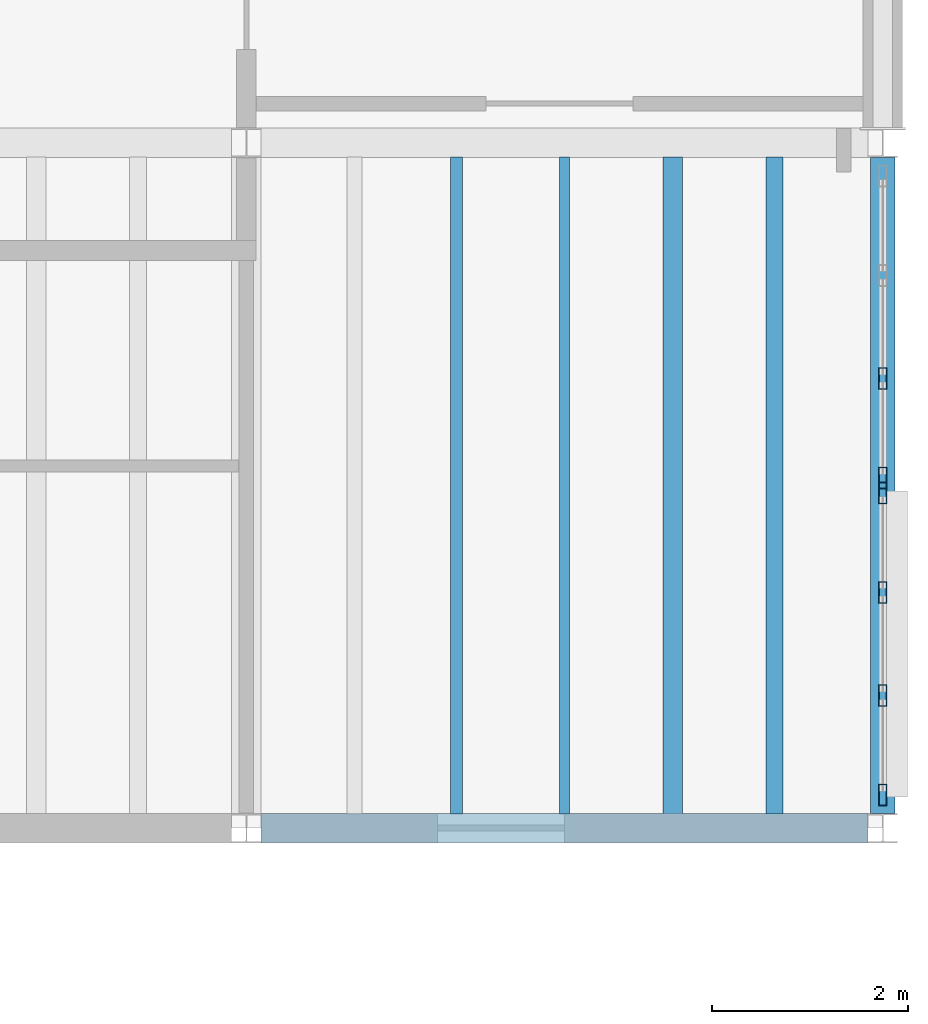
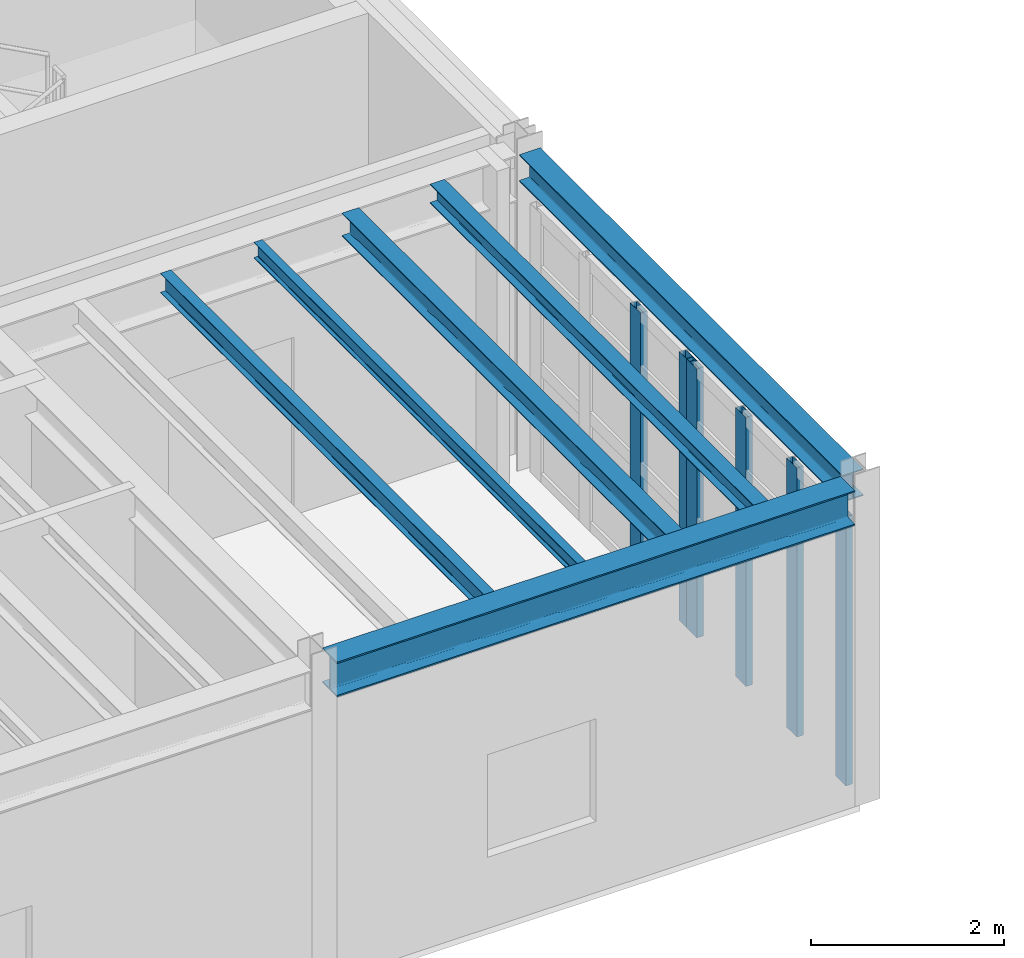
# One storey, part 3 of 11: 6 beams, 6 members, 2 elements without a shape of their own.
"""IFC4 building model written with IfcOpenShell, lengths in metres."""

from ifc_helpers import new_model, si_unit, direction, frame, origin, origin_2d, place, context, subcontext, project, spatial, hollow_rectangle, i_section, extrude, material, material_profile, profile_set, type_object, element, aggregate, save


model = new_model("IFC4")

# Units and contexts
model_context = context("Model", 3, precision=1e-05, world=origin(), true_north=direction((0.0, 1.0)))
body_context = subcontext(model_context, "Body", "Model", "MODEL_VIEW")
ifc_project = project(units=[si_unit("LENGTHUNIT", "METRE"), si_unit("AREAUNIT", "SQUARE_METRE"), si_unit("VOLUMEUNIT", "CUBIC_METRE"), si_unit("PLANEANGLEUNIT", "RADIAN"), si_unit("MASSUNIT", "GRAM", prefix="KILO"), si_unit("THERMODYNAMICTEMPERATUREUNIT", "KELVIN"), si_unit("POWERUNIT", "WATT")], contexts=[model_context])

# Site, building, storey
site_placement = place(None, origin())
site = spatial("IfcSite", under=ifc_project, at=site_placement, CompositionType="ELEMENT")
building_placement = place(site_placement, origin())
building = spatial("IfcBuilding", under=site, at=building_placement, Name="Zhenchuan Central Fire Station", CompositionType="ELEMENT")
storey_placement = place(building_placement, frame((0.0, 0.0, 18.449951171875)))
storey = spatial("IfcBuildingStorey", under=building, at=storey_placement, Name="L05", CompositionType="ELEMENT", Elevation=18.449951171875)

# Beams
ifc_material_1 = material(Name="Steel Q355B", Category="steel")
ifc_material_profile_1 = material_profile(ifc_material_1, i_section(OverallWidth=0.25, OverallDepth=0.340087890625, WebThickness=0.009033203125, FlangeThickness=0.013916015625, FilletRadius=0.01806640625, at=origin_2d()), Name="HM 340x250")
ifc_profile_set_1 = profile_set([ifc_material_profile_1], Name="Steel Q355B")
beam_type_1 = type_object("IfcBeamType", Name="BM-HM340-EXT", PredefinedType="BEAM", material=ifc_profile_set_1)
beam_1_placement = place(storey_placement, frame((161.0, 42.64990234375, 3.830078125), z_axis=(0.0, 1.0, 0.0), x_axis=(-1.0, 0.0, 0.0)))
element("IfcBeam", 1, at=beam_1_placement, inside=storey, type_object=beam_type_1, Name="L06 Girder NS 0504", PredefinedType="BEAM", context=body_context, shape_type="SweptSolid", body=[
    extrude(i_section(OverallWidth=0.25, OverallDepth=0.340087890625, WebThickness=0.009033203125, FlangeThickness=0.013916015625, FilletRadius=0.01806640625, at=origin_2d()), origin(), (0.0, 0.0, 1.0), 6.7001953125),
])
ifc_material_profile_2 = material_profile(ifc_material_1, i_section(OverallWidth=0.300048828125, OverallDepth=0.43994140625, WebThickness=0.010986328125, FlangeThickness=0.01806640625, FilletRadius=0.02197265625, at=origin_2d()), Name="HM 440x300")
ifc_profile_set_2 = profile_set([ifc_material_profile_2], Name="Steel Q355B")
beam_type_2 = type_object("IfcBeamType", Name="BM-HM440-INT", PredefinedType="BEAM", material=ifc_profile_set_2)
beam_2_placement = place(storey_placement, frame((154.64990234375, 42.5, 3.780029296875), z_axis=(1.0, 0.0, 0.0), x_axis=(0.0, 1.0, 0.0)))
element("IfcBeam", 2, at=beam_2_placement, inside=storey, type_object=beam_type_2, Name="L06 Girder EW 0491", PredefinedType="BEAM", context=body_context, shape_type="SweptSolid", body=[
    extrude(i_section(OverallWidth=0.300048828125, OverallDepth=0.43994140625, WebThickness=0.010986328125, FlangeThickness=0.01806640625, FilletRadius=0.02197265625, at=origin_2d()), origin(), (0.0, 0.0, 1.0), 6.2001953125),
])

# Curtain wall, members
ifc_material_2 = material(Name="Anodised aluminium and low-E glazing", Category="aluminium")
curtain_wall_type_1 = type_object("IfcCurtainWallType", Name="CW-MOD-15", PredefinedType="USERDEFINED", material=ifc_material_2)
curtain_wall_1_placement = place(storey_placement, origin())
curtain_wall_1 = element("IfcCurtainWall", 3, at=curtain_wall_1_placement, inside=storey, type_object=curtain_wall_type_1, Name="L05 Unitised Curtain Wall 150", ObjectType="UNITISED GLAZING", PredefinedType="USERDEFINED")
ifc_material_3 = material(Name="Anodised aluminium EN AW-6063", Category="aluminium")
ifc_material_profile_3 = material_profile(ifc_material_3, hollow_rectangle(XDim=0.080078125, YDim=0.219970703125, WallThickness=0.005615234375, at=origin_2d()), Name="ALU-M 220x80")
ifc_profile_set_3 = profile_set([ifc_material_profile_3], Name="Anodised aluminium EN AW-6063")
member_type = type_object("IfcMemberType", Name="CW-MUL200", PredefinedType="MULLION", material=ifc_profile_set_3)
member_1_placement = place(storey_placement, frame((161.0, 42.83740234375, -0.00390625), z_axis=(0.0, 0.0, 1.0), x_axis=(-1.0, 0.0, 0.0)))
member_1 = element("IfcMember", 4, at=member_1_placement, type_object=member_type, Name="CW-15 mullion 1", PredefinedType="MULLION", context=body_context, shape_type="SweptSolid", body=[
    extrude(hollow_rectangle(XDim=0.080078125, YDim=0.219970703125, WallThickness=0.005615234375, at=origin_2d()), origin(), (0.0, 0.0, 1.0), 3.404052734375),
])
member_2_placement = place(storey_placement, frame((161.0, 43.85400390625, -0.00390625), z_axis=(0.0, 0.0, 1.0), x_axis=(-1.0, 0.0, 0.0)))
member_2 = element("IfcMember", 5, at=member_2_placement, type_object=member_type, Name="CW-15 mullion 2", PredefinedType="MULLION", context=body_context, shape_type="SweptSolid", body=[
    extrude(hollow_rectangle(XDim=0.080078125, YDim=0.219970703125, WallThickness=0.005615234375, at=origin_2d()), origin(), (0.0, 0.0, 1.0), 3.404052734375),
])
member_3_placement = place(storey_placement, frame((161.0, 44.907958984375, -0.00390625), z_axis=(0.0, 0.0, 1.0), x_axis=(-1.0, 0.0, 0.0)))
member_3 = element("IfcMember", 6, at=member_3_placement, type_object=member_type, Name="CW-15 mullion 3", PredefinedType="MULLION", context=body_context, shape_type="SweptSolid", body=[
    extrude(hollow_rectangle(XDim=0.080078125, YDim=0.219970703125, WallThickness=0.005615234375, at=origin_2d()), origin(), (0.0, 0.0, 1.0), 3.404052734375),
])
member_4_placement = place(storey_placement, frame((161.0, 45.924560546875, -0.00390625), z_axis=(0.0, 0.0, 1.0), x_axis=(-1.0, 0.0, 0.0)))
member_4 = element("IfcMember", 7, at=member_4_placement, type_object=member_type, Name="CW-15 mullion 4", PredefinedType="MULLION", context=body_context, shape_type="SweptSolid", body=[
    extrude(hollow_rectangle(XDim=0.080078125, YDim=0.219970703125, WallThickness=0.005615234375, at=origin_2d()), origin(), (0.0, 0.0, 1.0), 3.404052734375),
])
aggregate(curtain_wall_1, [member_1, member_2, member_3, member_4])

curtain_wall_type_2 = type_object("IfcCurtainWallType", Name="CW-MOD-16", PredefinedType="USERDEFINED", material=ifc_material_2)
curtain_wall_2_placement = place(storey_placement, origin())
curtain_wall_2 = element("IfcCurtainWall", 8, at=curtain_wall_2_placement, inside=storey, type_object=curtain_wall_type_2, Name="L05 Unitised Curtain Wall 151", ObjectType="UNITISED GLAZING", PredefinedType="USERDEFINED")
member_5_placement = place(storey_placement, frame((161.0, 46.075439453125, -0.00390625), z_axis=(0.0, 0.0, 1.0), x_axis=(-1.0, 0.0, 0.0)))
member_5 = element("IfcMember", 9, at=member_5_placement, type_object=member_type, Name="CW-16 mullion 1", PredefinedType="MULLION", context=body_context, shape_type="SweptSolid", body=[
    extrude(hollow_rectangle(XDim=0.080078125, YDim=0.219970703125, WallThickness=0.005615234375, at=origin_2d()), origin(), (0.0, 0.0, 1.0), 3.404052734375),
])
member_6_placement = place(storey_placement, frame((161.0, 47.092041015625, -0.00390625), z_axis=(0.0, 0.0, 1.0), x_axis=(-1.0, 0.0, 0.0)))
member_6 = element("IfcMember", 10, at=member_6_placement, type_object=member_type, Name="CW-16 mullion 2", PredefinedType="MULLION", context=body_context, shape_type="SweptSolid", body=[
    extrude(hollow_rectangle(XDim=0.080078125, YDim=0.219970703125, WallThickness=0.005615234375, at=origin_2d()), origin(), (0.0, 0.0, 1.0), 3.404052734375),
])
aggregate(curtain_wall_2, [member_5, member_6])

# Beams
ifc_material_profile_4 = material_profile(ifc_material_1, i_section(OverallWidth=0.175048828125, OverallDepth=0.243896484375, WebThickness=0.007080078125, FlangeThickness=0.010986328125, FilletRadius=0.012939453125, at=origin_2d()), Name="HM 244x175")
ifc_profile_set_4 = profile_set([ifc_material_profile_4], Name="Steel Q355B")
beam_type_3 = type_object("IfcBeamType", Name="JS-HM244", PredefinedType="JOIST", material=ifc_profile_set_4)
beam_3_placement = place(storey_placement, frame((159.89501953125, 42.64697265625, 3.8779296875), z_axis=(0.0, 1.0, 0.0), x_axis=(-1.0, 0.0, 0.0)))
element("IfcBeam", 11, at=beam_3_placement, inside=storey, type_object=beam_type_3, Name="L06 Secondary Joist 0810", PredefinedType="JOIST", context=body_context, shape_type="SweptSolid", body=[
    extrude(i_section(OverallWidth=0.175048828125, OverallDepth=0.243896484375, WebThickness=0.007080078125, FlangeThickness=0.010986328125, FilletRadius=0.012939453125, at=origin_2d()), origin(), (0.0, 0.0, 1.0), 6.7060546875),
])
ifc_material_profile_5 = material_profile(ifc_material_1, i_section(OverallWidth=0.199951171875, OverallDepth=0.2939453125, WebThickness=0.008056640625, FlangeThickness=0.011962890625, FilletRadius=0.01611328125, at=origin_2d()), Name="HM 294x200")
ifc_profile_set_5 = profile_set([ifc_material_profile_5], Name="Steel Q355B")
beam_type_4 = type_object("IfcBeamType", Name="JS-HM294", PredefinedType="JOIST", material=ifc_profile_set_5)
beam_4_placement = place(storey_placement, frame((158.85498046875, 42.64697265625, 3.85302734375), z_axis=(0.0, 1.0, 0.0), x_axis=(-1.0, 0.0, 0.0)))
element("IfcBeam", 12, at=beam_4_placement, inside=storey, type_object=beam_type_4, Name="L06 Secondary Joist 0809", PredefinedType="JOIST", context=body_context, shape_type="SweptSolid", body=[
    extrude(i_section(OverallWidth=0.199951171875, OverallDepth=0.2939453125, WebThickness=0.008056640625, FlangeThickness=0.011962890625, FilletRadius=0.01611328125, at=origin_2d()), origin(), (0.0, 0.0, 1.0), 6.7060546875),
])
ifc_material_profile_6 = material_profile(ifc_material_1, i_section(OverallWidth=0.10009765625, OverallDepth=0.199951171875, WebThickness=0.005615234375, FlangeThickness=0.008056640625, FilletRadius=0.010986328125, at=origin_2d()), Name="HN 200x100")
ifc_profile_set_6 = profile_set([ifc_material_profile_6], Name="Steel Q355B")
beam_type_5 = type_object("IfcBeamType", Name="JS-HN200", PredefinedType="JOIST", material=ifc_profile_set_6)
beam_5_placement = place(storey_placement, frame((157.75, 42.64697265625, 3.900146484375), z_axis=(0.0, 1.0, 0.0), x_axis=(-1.0, 0.0, 0.0)))
element("IfcBeam", 13, at=beam_5_placement, inside=storey, type_object=beam_type_5, Name="L06 Secondary Joist 0808", PredefinedType="JOIST", context=body_context, shape_type="SweptSolid", body=[
    extrude(i_section(OverallWidth=0.10009765625, OverallDepth=0.199951171875, WebThickness=0.005615234375, FlangeThickness=0.008056640625, FilletRadius=0.010986328125, at=origin_2d()), origin(), (0.0, 0.0, 1.0), 6.7060546875),
])
ifc_material_profile_7 = material_profile(ifc_material_1, i_section(OverallWidth=0.125, OverallDepth=0.25, WebThickness=0.006103515625, FlangeThickness=0.009033203125, FilletRadius=0.011962890625, at=origin_2d()), Name="HN 250x125")
ifc_profile_set_7 = profile_set([ifc_material_profile_7], Name="Steel Q355B")
beam_type_6 = type_object("IfcBeamType", Name="JS-HN250", PredefinedType="JOIST", material=ifc_profile_set_7)
beam_6_placement = place(storey_placement, frame((156.64501953125, 42.64697265625, 3.875), z_axis=(0.0, 1.0, 0.0), x_axis=(-1.0, 0.0, 0.0)))
element("IfcBeam", 14, at=beam_6_placement, inside=storey, type_object=beam_type_6, Name="L06 Secondary Joist 0807", PredefinedType="JOIST", context=body_context, shape_type="SweptSolid", body=[
    extrude(i_section(OverallWidth=0.125, OverallDepth=0.25, WebThickness=0.006103515625, FlangeThickness=0.009033203125, FilletRadius=0.011962890625, at=origin_2d()), origin(), (0.0, 0.0, 1.0), 6.7060546875),
])

save(model, "model.ifc")
